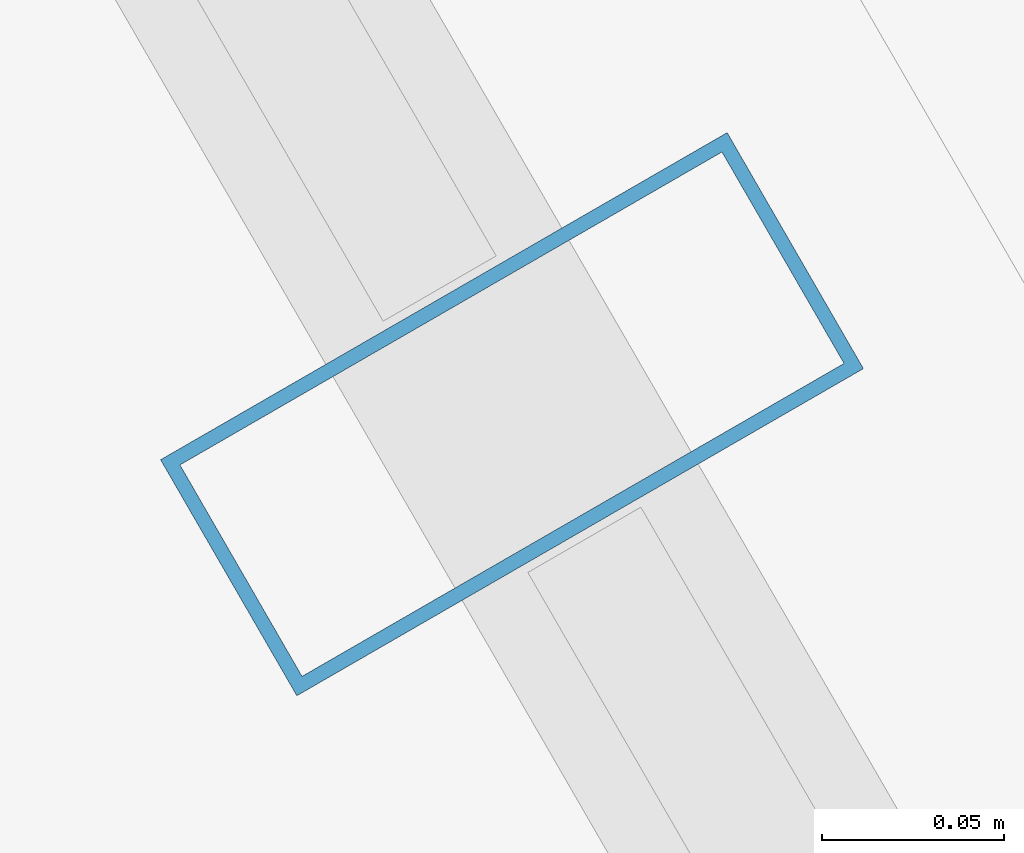
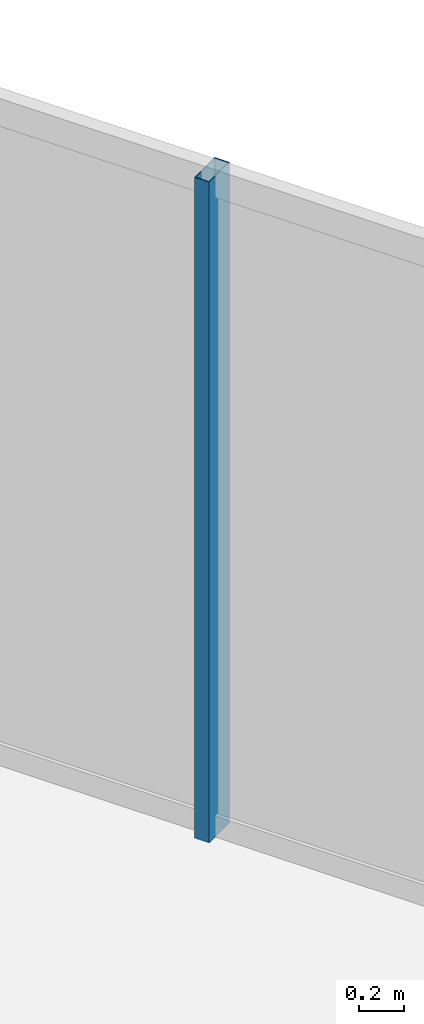
# One storey, part 17 of 32: 1 member, 1 element without a shape of its own.
"""IFC4 building model written with IfcOpenShell, lengths in metres."""

from ifc_helpers import new_model, si_unit, direction, frame, origin, origin_2d, place, context, subcontext, project, spatial, hollow_rectangle, extrude, material, layer, layer_set, material_profile, profile_set, type_object, element, aggregate, save


model = new_model("IFC4")

# Units and contexts
model_context = context("Model", 3, precision=1e-05, world=origin(), true_north=direction((0.0, 1.0)))
body_context = subcontext(model_context, "Body", "Model", "MODEL_VIEW")
ifc_project = project(units=[si_unit("LENGTHUNIT", "METRE"), si_unit("AREAUNIT", "SQUARE_METRE"), si_unit("VOLUMEUNIT", "CUBIC_METRE"), si_unit("PLANEANGLEUNIT", "RADIAN"), si_unit("MASSUNIT", "GRAM", prefix="KILO")], contexts=[model_context])

# Site, building, storey
site_placement = place(None, origin())
site = spatial("IfcSite", under=ifc_project, at=site_placement, CompositionType="ELEMENT")
building_placement = place(site_placement, origin())
building = spatial("IfcBuilding", under=site, at=building_placement, Name="Ndaravel Arena Tower", CompositionType="ELEMENT")
storey_placement = place(building_placement, frame((0.0, 0.0, 252.199951171875)))
storey = spatial("IfcBuildingStorey", under=building, at=storey_placement, Name="L61", CompositionType="ELEMENT", Elevation=252.199951171875)

# Curtain wall, member
ifc_material_1 = material(Name="Aluminium", Category="aluminium")
ifc_layer = layer(ifc_material_1, 0.179931640625)
ifc_layer_set = layer_set([ifc_layer], Name="Aluminium")
curtain_wall_type = type_object("IfcCurtainWallType", Name="CW-SYS-03", PredefinedType="NOTDEFINED", material=ifc_layer_set)
curtain_wall_placement = place(storey_placement, origin())
curtain_wall = element("IfcCurtainWall", 1, at=curtain_wall_placement, inside=storey, type_object=curtain_wall_type, Name="L61 Faceted Crystal Curtain Wall CW-L61-E03", PredefinedType="NOTDEFINED")
ifc_material_2 = material(Name="Aluminium", Category="aluminium")
ifc_material_profile = material_profile(ifc_material_2, hollow_rectangle(XDim=0.074951171875, YDim=0.179931640625, WallThickness=0.00390625, at=origin_2d()), Name="CW MULLION 75x180x4")
ifc_profile_set = profile_set([ifc_material_profile], Name="Aluminium")
member_type = type_object("IfcMemberType", Name="MEM-CW-MUL180", PredefinedType="MULLION", material=ifc_profile_set)
member_placement = place(storey_placement, frame((49.414306640625, 37.057373046875, 0.0), z_axis=(0.0, 0.0, 1.0), x_axis=(-0.5, 0.866025403784, 0.0)))
member = element("IfcMember", 2, at=member_placement, type_object=member_type, Name="CW-L61-E03 Mullion 07", PredefinedType="MULLION", context=body_context, shape_type="SweptSolid", body=[
    extrude(hollow_rectangle(XDim=0.074951171875, YDim=0.179931640625, WallThickness=0.00390625, at=origin_2d()), origin(), (0.0, 0.0, 1.0), 3.580078125),
])
aggregate(curtain_wall, [member])

save(model, "model.ifc")
